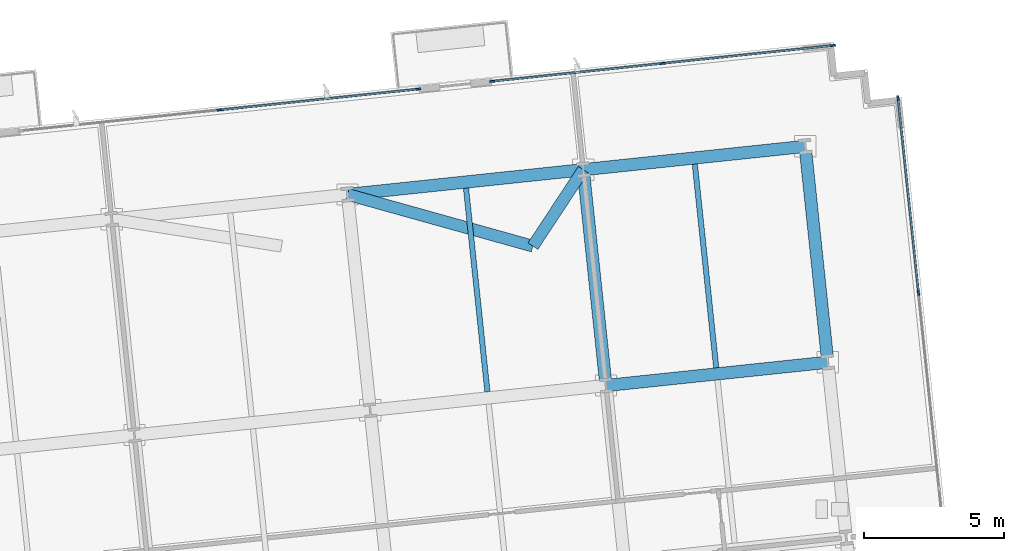
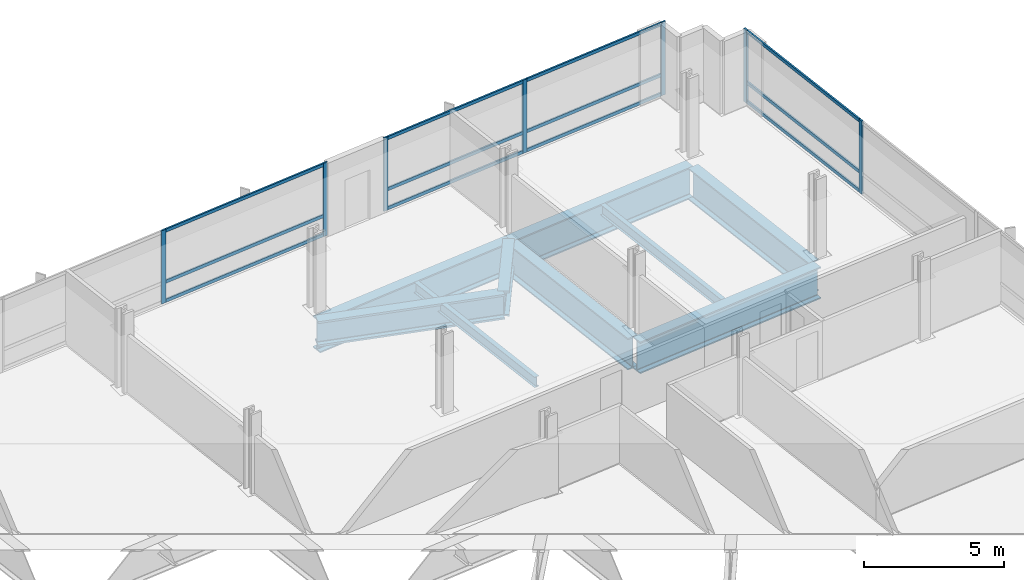
# One storey, part 8 of 18: 19 members, 9 beams, 3 elements without a shape of their own.
"""IFC4 building model written with IfcOpenShell, lengths in metres."""

from ifc_helpers import new_model, si_unit, direction, frame, origin, origin_2d, place, context, subcontext, project, spatial, rectangle, i_section, extrude, material, material_profile, profile_set, type_object, element, aggregate, save


model = new_model("IFC4")

# Units and contexts
model_context = context("Model", 3, precision=1e-05, world=origin(), true_north=direction((0.0, 1.0)))
body_context = subcontext(model_context, "Body", "Model", "MODEL_VIEW")
ifc_project = project(units=[si_unit("LENGTHUNIT", "METRE"), si_unit("AREAUNIT", "SQUARE_METRE"), si_unit("VOLUMEUNIT", "CUBIC_METRE"), si_unit("PLANEANGLEUNIT", "RADIAN"), si_unit("MASSUNIT", "GRAM", prefix="KILO")], contexts=[model_context])

# Site, building, storey
site_placement = place(None, origin())
site = spatial("IfcSite", under=ifc_project, at=site_placement, CompositionType="ELEMENT")
building_placement = place(site_placement, origin())
building = spatial("IfcBuilding", under=site, at=building_placement, Name="Solmavex Isthmus Hotel", CompositionType="ELEMENT")
storey_placement = place(building_placement, frame((0.0, 0.0, 80.10009765625)))
storey = spatial("IfcBuildingStorey", under=building, at=storey_placement, Name="L21", CompositionType="ELEMENT", Elevation=80.10009765625)

# Beams
ifc_material_1 = material(Name="Steel ASTM A992 Grade 50", Category="steel")
ifc_material_profile_1 = material_profile(ifc_material_1, i_section(OverallWidth=0.1904296875, OverallDepth=0.456787109375, WebThickness=0.009033203125, FlangeThickness=0.014404296875, FilletRadius=0.0126953125, at=origin_2d()), Name="W18X50")
ifc_profile_set_1 = profile_set([ifc_material_profile_1], Name="Steel ASTM A992 Grade 50")
beam_type_1 = type_object("IfcBeamType", Name="BM-BJ-W18X50", PredefinedType="JOIST", material=ifc_profile_set_1)
for number, where, z_axis, x_axis, name in (
    (1, (16.32861328125, 11.6982421875, -0.678466796875), (-0.10454052524, 0.99452062753, 0.0), (-0.99452062753, -0.10454052524, 0.0), "Secondary Floor Joist L21-J17"),
    (2, (24.50048828125, 12.55712890625, -0.678466796875), (-0.104507501103, 0.994524098357, 0.0), (-0.994524098357, -0.104507501103, 0.0), "Secondary Floor Joist L21-J19"),
):
    element("IfcBeam", number, at=place(storey_placement, frame(where, z_axis=z_axis, x_axis=x_axis)), inside=storey, type_object=beam_type_1, Name=name, PredefinedType="JOIST", context=body_context, shape_type="SweptSolid", body=[
        extrude(i_section(OverallWidth=0.1904296875, OverallDepth=0.456787109375, WebThickness=0.009033203125, FlangeThickness=0.014404296875, FilletRadius=0.0126953125, at=origin_2d()), origin(), (0.0, 0.0, 1.0), 7.31201171875),
    ])
ifc_material_2 = material(Name="Steel ASTM A913 Grade 65", Category="steel")
ifc_material_profile_2 = material_profile(ifc_material_2, i_section(OverallWidth=0.42431640625, OverallDepth=1.09228515625, WebThickness=0.04541015625, FlangeThickness=0.08203125, FilletRadius=0.030517578125, at=origin_2d()), Name="W40X593")
ifc_profile_set_2 = profile_set([ifc_material_profile_2], Name="Steel ASTM A913 Grade 65")
beam_type_2 = type_object("IfcBeamType", Name="BM-TB-W40X397", PredefinedType="BEAM", material=ifc_profile_set_2)
beam_1_placement = place(storey_placement, frame((17.951904296875, 16.89990234375, -0.99609375), z_axis=(-0.96322880342, 0.268682474797, 0.0), x_axis=(-0.268682474797, -0.96322880342, 0.0)))
element("IfcBeam", 3, at=beam_1_placement, inside=storey, type_object=beam_type_2, Name="Core Outrigger Strut L20-OTN3", PredefinedType="BEAM", context=body_context, shape_type="SweptSolid", body=[
    extrude(i_section(OverallWidth=0.42431640625, OverallDepth=1.09228515625, WebThickness=0.04541015625, FlangeThickness=0.08203125, FilletRadius=0.030517578125, at=origin_2d()), origin(), (0.0, 0.0, 1.0), 6.873046875),
])
beam_2_placement = place(storey_placement, frame((17.951904296875, 16.89990234375, -0.99609375), z_axis=(0.550109928805, 0.835092250132, 0.0), x_axis=(-0.835092250132, 0.550109928805, 0.0)))
element("IfcBeam", 4, at=beam_2_placement, inside=storey, type_object=beam_type_2, Name="Core Outrigger Strut L20-OTN4", PredefinedType="BEAM", context=body_context, shape_type="SweptSolid", body=[
    extrude(i_section(OverallWidth=0.42431640625, OverallDepth=1.09228515625, WebThickness=0.04541015625, FlangeThickness=0.08203125, FilletRadius=0.030517578125, at=origin_2d()), origin(), (0.0, 0.0, 1.0), 3.270751953125),
])
ifc_material_3 = material(Name="Steel ASTM A572 Grade 50", Category="steel")
ifc_material_profile_3 = material_profile(ifc_material_3, i_section(OverallWidth=0.43994140625, OverallDepth=1.3798828125, WebThickness=0.030029296875, FlangeThickness=0.054931640625, FilletRadius=0.030517578125, at=origin_2d()), Name="I1380X440")
ifc_profile_set_3 = profile_set([ifc_material_profile_3], Name="Steel ASTM A572 Grade 50")
beam_type_3 = type_object("IfcBeamType", Name="BM-TG-I1380", PredefinedType="BEAM", material=ifc_profile_set_3)
beam_3_placement = place(storey_placement, frame((20.5615234375, 11.921875, -1.14013671875), z_axis=(0.994523402738, 0.104514120609, 0.0), x_axis=(-0.104514120609, 0.994523402738, 0.0)))
element("IfcBeam", 5, at=beam_3_placement, inside=storey, type_object=beam_type_3, Name="Outrigger Collector Girder L21-UG16", PredefinedType="BEAM", context=body_context, shape_type="SweptSolid", body=[
    extrude(i_section(OverallWidth=0.43994140625, OverallDepth=1.3798828125, WebThickness=0.030029296875, FlangeThickness=0.054931640625, FilletRadius=0.030517578125, at=origin_2d()), origin(), (0.0, 0.0, 1.0), 7.968017578125),
])
beam_4_placement = place(storey_placement, frame((11.33154296875, 18.74658203125, -1.14013671875), z_axis=(0.994524082861, 0.104507648572, 0.0), x_axis=(-0.104507648572, 0.994524082861, 0.0)))
element("IfcBeam", 6, at=beam_4_placement, inside=storey, type_object=beam_type_3, Name="Outrigger Collector Girder L21-UG21", PredefinedType="BEAM", context=body_context, shape_type="SweptSolid", body=[
    extrude(i_section(OverallWidth=0.43994140625, OverallDepth=1.3798828125, WebThickness=0.030029296875, FlangeThickness=0.054931640625, FilletRadius=0.030517578125, at=origin_2d()), origin(), (0.0, 0.0, 1.0), 8.466064453125),
])
beam_5_placement = place(storey_placement, frame((19.751220703125, 19.63134765625, -1.14013671875), z_axis=(0.994520217478, 0.10454442609, 0.0), x_axis=(-0.10454442609, 0.994520217478, 0.0)))
element("IfcBeam", 7, at=beam_5_placement, inside=storey, type_object=beam_type_3, Name="Outrigger Collector Girder L21-UG22", PredefinedType="BEAM", context=body_context, shape_type="SweptSolid", body=[
    extrude(i_section(OverallWidth=0.43994140625, OverallDepth=1.3798828125, WebThickness=0.030029296875, FlangeThickness=0.054931640625, FilletRadius=0.030517578125, at=origin_2d()), origin(), (0.0, 0.0, 1.0), 7.968017578125),
])
for number, where, z_axis, x_axis, name in (
    (8, (20.538330078125, 12.140625, -1.14013671875), (-0.104507501103, 0.994524098357, 0.0), (-0.994524098357, -0.104507501103, 0.0), "Outrigger Collector Beam L21-VG43"),
    (9, (28.462890625, 12.9736328125, -1.14013671875), (-0.10454052524, 0.99452062753, 0.0), (-0.99452062753, -0.10454052524, 0.0), "Outrigger Collector Beam L21-VG46"),
):
    element("IfcBeam", number, at=place(storey_placement, frame(where, z_axis=z_axis, x_axis=x_axis)), inside=storey, type_object=beam_type_3, Name=name, PredefinedType="BEAM", context=body_context, shape_type="SweptSolid", body=[
        extrude(i_section(OverallWidth=0.43994140625, OverallDepth=1.3798828125, WebThickness=0.030029296875, FlangeThickness=0.054931640625, FilletRadius=0.030517578125, at=origin_2d()), origin(), (0.0, 0.0, 1.0), 7.31201171875),
    ])

# Curtain wall, members
ifc_material_4 = material(Name="Aluminium alloy 6063-T6", Category="aluminium")
curtain_wall_type = type_object("IfcCurtainWallType", Name="CW-SYS-03", PredefinedType="NOTDEFINED", material=ifc_material_4)
curtain_wall_1_placement = place(storey_placement, origin())
curtain_wall_1 = element("IfcCurtainWall", 10, at=curtain_wall_1_placement, inside=storey, type_object=curtain_wall_type, Name="Stick Curtain Wall CWL-L21-N2", PredefinedType="NOTDEFINED")
ifc_material_profile_4 = material_profile(ifc_material_4, rectangle(XDim=0.070068359375, YDim=0.179931640625, at=origin_2d()), Name="CWM-70X180")
ifc_profile_set_4 = profile_set([ifc_material_profile_4], Name="Aluminium alloy 6063-T6")
member_type_1 = type_object("IfcMemberType", Name="CW-SYS-03-MUL", PredefinedType="MULLION", material=ifc_profile_set_4)
member_1_placement = place(storey_placement, frame((6.7578125, 21.764892578125, 0.0), z_axis=(0.0, 0.0, 1.0), x_axis=(-0.10452900389, 0.994521838546, 0.0)))
member_1 = element("IfcMember", 11, at=member_1_placement, type_object=member_type_1, Name="CW-03 mullion 2", PredefinedType="MULLION", context=body_context, shape_type="SweptSolid", body=[
    extrude(rectangle(XDim=0.070068359375, YDim=0.179931640625, at=origin_2d()), origin(), (0.0, 0.0, 1.0), 3.18994140625),
])
member_2_placement = place(storey_placement, frame((13.849853515625, 22.51025390625, 0.0), z_axis=(0.0, 0.0, 1.0), x_axis=(-0.10452900389, 0.994521838546, 0.0)))
member_2 = element("IfcMember", 12, at=member_2_placement, type_object=member_type_1, Name="CW-03 mullion 3", PredefinedType="MULLION", context=body_context, shape_type="SweptSolid", body=[
    extrude(rectangle(XDim=0.070068359375, YDim=0.179931640625, at=origin_2d()), origin(), (0.0, 0.0, 1.0), 3.18994140625),
])

curtain_wall_2_placement = place(storey_placement, origin())
curtain_wall_2 = element("IfcCurtainWall", 13, at=curtain_wall_2_placement, inside=storey, type_object=curtain_wall_type, Name="Stick Curtain Wall CWL-L21-N3", PredefinedType="NOTDEFINED")
member_3_placement = place(storey_placement, frame((16.505126953125, 22.789306640625, 0.0), z_axis=(0.0, 0.0, 1.0), x_axis=(-0.104528123665, 0.994521931062, 0.0)))
member_3 = element("IfcMember", 14, at=member_3_placement, type_object=member_type_1, Name="CW-03 mullion 1", PredefinedType="MULLION", context=body_context, shape_type="SweptSolid", body=[
    extrude(rectangle(XDim=0.070068359375, YDim=0.179931640625, at=origin_2d()), origin(), (0.0, 0.0, 1.0), 3.18994140625),
])
member_4_placement = place(storey_placement, frame((22.587158203125, 23.4287109375, 0.0), z_axis=(0.0, 0.0, 1.0), x_axis=(-0.104528123665, 0.994521931062, 0.0)))
member_4 = element("IfcMember", 15, at=member_4_placement, type_object=member_type_1, Name="CW-03 mullion 2", PredefinedType="MULLION", context=body_context, shape_type="SweptSolid", body=[
    extrude(rectangle(XDim=0.070068359375, YDim=0.179931640625, at=origin_2d()), origin(), (0.0, 0.0, 1.0), 3.18994140625),
])
member_5_placement = place(storey_placement, frame((28.669189453125, 24.06787109375, 0.0), z_axis=(0.0, 0.0, 1.0), x_axis=(-0.104528123665, 0.994521931062, 0.0)))
member_5 = element("IfcMember", 16, at=member_5_placement, type_object=member_type_1, Name="CW-03 mullion 3", PredefinedType="MULLION", context=body_context, shape_type="SweptSolid", body=[
    extrude(rectangle(XDim=0.070068359375, YDim=0.179931640625, at=origin_2d()), origin(), (0.0, 0.0, 1.0), 3.18994140625),
])

curtain_wall_3_placement = place(storey_placement, origin())
curtain_wall_3 = element("IfcCurtainWall", 17, at=curtain_wall_3_placement, inside=storey, type_object=curtain_wall_type, Name="Stick Curtain Wall CWL-L21-E1", PredefinedType="NOTDEFINED")
member_6_placement = place(storey_placement, frame((31.723876953125, 15.23876953125, 0.0), z_axis=(0.0, 0.0, 1.0), x_axis=(-0.994521893044, -0.104528485381, 0.0)))
member_6 = element("IfcMember", 18, at=member_6_placement, type_object=member_type_1, Name="CW-03 mullion 5", PredefinedType="MULLION", context=body_context, shape_type="SweptSolid", body=[
    extrude(rectangle(XDim=0.070068359375, YDim=0.179931640625, at=origin_2d()), origin(), (0.0, 0.0, 1.0), 3.18994140625),
])
member_7_placement = place(storey_placement, frame((30.99365234375, 22.185546875, 0.0), z_axis=(0.0, 0.0, 1.0), x_axis=(-0.994521893044, -0.104528485381, 0.0)))
member_7 = element("IfcMember", 19, at=member_7_placement, type_object=member_type_1, Name="CW-03 mullion 6", PredefinedType="MULLION", context=body_context, shape_type="SweptSolid", body=[
    extrude(rectangle(XDim=0.070068359375, YDim=0.179931640625, at=origin_2d()), origin(), (0.0, 0.0, 1.0), 3.18994140625),
])

# Member
ifc_material_profile_5 = material_profile(ifc_material_4, rectangle(XDim=0.070068359375, YDim=0.139892578125, at=origin_2d()), Name="CWT-70X140")
ifc_profile_set_5 = profile_set([ifc_material_profile_5], Name="Aluminium alloy 6063-T6")
member_type_2 = type_object("IfcMemberType", Name="CW-SYS-03-TRN", PredefinedType="USERDEFINED", material=ifc_profile_set_5)
member_8_placement = place(storey_placement, frame((6.792724609375, 21.7685546875, 0.06982421875), z_axis=(0.994522301958, 0.104524594751, 0.0), x_axis=(-0.104524594751, 0.994522301958, 0.0)))
member_8 = element("IfcMember", 20, at=member_8_placement, type_object=member_type_2, Name="CW-03 transom 2.1", ObjectType="TRANSOM", PredefinedType="USERDEFINED", context=body_context, shape_type="SweptSolid", body=[
    extrude(rectangle(XDim=0.070068359375, YDim=0.139892578125, at=origin_2d()), origin(), (0.0, 0.0, 1.0), 7.060791015625),
])

member_9_placement = place(storey_placement, frame((6.792724609375, 21.7685546875, 0.89990234375), z_axis=(0.994522301958, 0.104524594751, 0.0), x_axis=(-0.104524594751, 0.994522301958, 0.0)))
member_9 = element("IfcMember", 21, at=member_9_placement, type_object=member_type_2, Name="CW-03 transom 2.2", ObjectType="TRANSOM", PredefinedType="USERDEFINED", context=body_context, shape_type="SweptSolid", body=[
    extrude(rectangle(XDim=0.070068359375, YDim=0.139892578125, at=origin_2d()), origin(), (0.0, 0.0, 1.0), 7.060791015625),
])

member_10_placement = place(storey_placement, frame((6.792724609375, 21.7685546875, 3.119873046875), z_axis=(0.994522301958, 0.104524594751, 0.0), x_axis=(-0.104524594751, 0.994522301958, 0.0)))
member_10 = element("IfcMember", 22, at=member_10_placement, type_object=member_type_2, Name="CW-03 transom 2.3", ObjectType="TRANSOM", PredefinedType="USERDEFINED", context=body_context, shape_type="SweptSolid", body=[
    extrude(rectangle(XDim=0.070068359375, YDim=0.139892578125, at=origin_2d()), origin(), (0.0, 0.0, 1.0), 7.060791015625),
])

aggregate(curtain_wall_1, [member_1, member_2, member_8, member_9, member_10])

member_11_placement = place(storey_placement, frame((16.5400390625, 22.79296875, 0.06982421875), z_axis=(0.994519384638, 0.104552348513, 0.0), x_axis=(-0.104552348513, 0.994519384638, 0.0)))
member_11 = element("IfcMember", 23, at=member_11_placement, type_object=member_type_2, Name="CW-03 transom 1.1", ObjectType="TRANSOM", PredefinedType="USERDEFINED", context=body_context, shape_type="SweptSolid", body=[
    extrude(rectangle(XDim=0.070068359375, YDim=0.139892578125, at=origin_2d()), origin(), (0.0, 0.0, 1.0), 6.045654296875),
])

member_12_placement = place(storey_placement, frame((16.5400390625, 22.79296875, 0.89990234375), z_axis=(0.994519384638, 0.104552348513, 0.0), x_axis=(-0.104552348513, 0.994519384638, 0.0)))
member_12 = element("IfcMember", 24, at=member_12_placement, type_object=member_type_2, Name="CW-03 transom 1.2", ObjectType="TRANSOM", PredefinedType="USERDEFINED", context=body_context, shape_type="SweptSolid", body=[
    extrude(rectangle(XDim=0.070068359375, YDim=0.139892578125, at=origin_2d()), origin(), (0.0, 0.0, 1.0), 6.045654296875),
])

member_13_placement = place(storey_placement, frame((16.5400390625, 22.79296875, 3.119873046875), z_axis=(0.994519384638, 0.104552348513, 0.0), x_axis=(-0.104552348513, 0.994519384638, 0.0)))
member_13 = element("IfcMember", 25, at=member_13_placement, type_object=member_type_2, Name="CW-03 transom 1.3", ObjectType="TRANSOM", PredefinedType="USERDEFINED", context=body_context, shape_type="SweptSolid", body=[
    extrude(rectangle(XDim=0.070068359375, YDim=0.139892578125, at=origin_2d()), origin(), (0.0, 0.0, 1.0), 6.045654296875),
])

member_14_placement = place(storey_placement, frame((22.6220703125, 23.432373046875, 0.06982421875), z_axis=(0.994523582882, 0.104512406403, 0.0), x_axis=(-0.104512406403, 0.994523582882, 0.0)))
member_14 = element("IfcMember", 26, at=member_14_placement, type_object=member_type_2, Name="CW-03 transom 2.1", ObjectType="TRANSOM", PredefinedType="USERDEFINED", context=body_context, shape_type="SweptSolid", body=[
    extrude(rectangle(XDim=0.070068359375, YDim=0.139892578125, at=origin_2d()), origin(), (0.0, 0.0, 1.0), 6.045654296875),
])

member_15_placement = place(storey_placement, frame((22.6220703125, 23.432373046875, 0.89990234375), z_axis=(0.994523582882, 0.104512406403, 0.0), x_axis=(-0.104512406403, 0.994523582882, 0.0)))
member_15 = element("IfcMember", 27, at=member_15_placement, type_object=member_type_2, Name="CW-03 transom 2.2", ObjectType="TRANSOM", PredefinedType="USERDEFINED", context=body_context, shape_type="SweptSolid", body=[
    extrude(rectangle(XDim=0.070068359375, YDim=0.139892578125, at=origin_2d()), origin(), (0.0, 0.0, 1.0), 6.045654296875),
])

member_16_placement = place(storey_placement, frame((22.6220703125, 23.432373046875, 3.119873046875), z_axis=(0.994523582882, 0.104512406403, 0.0), x_axis=(-0.104512406403, 0.994523582882, 0.0)))
member_16 = element("IfcMember", 28, at=member_16_placement, type_object=member_type_2, Name="CW-03 transom 2.3", ObjectType="TRANSOM", PredefinedType="USERDEFINED", context=body_context, shape_type="SweptSolid", body=[
    extrude(rectangle(XDim=0.070068359375, YDim=0.139892578125, at=origin_2d()), origin(), (0.0, 0.0, 1.0), 6.045654296875),
])

aggregate(curtain_wall_2, [member_3, member_4, member_5, member_11, member_12, member_13, member_14, member_15, member_16])

member_17_placement = place(storey_placement, frame((31.72021484375, 15.273681640625, 0.06982421875), z_axis=(-0.104539595565, 0.994520725254, 0.0), x_axis=(-0.994520725254, -0.104539595565, 0.0)))
member_17 = element("IfcMember", 29, at=member_17_placement, type_object=member_type_2, Name="CW-03 transom 5.1", ObjectType="TRANSOM", PredefinedType="USERDEFINED", context=body_context, shape_type="SweptSolid", body=[
    extrude(rectangle(XDim=0.070068359375, YDim=0.139892578125, at=origin_2d()), origin(), (0.0, 0.0, 1.0), 6.9150390625),
])

member_18_placement = place(storey_placement, frame((31.72021484375, 15.273681640625, 0.89990234375), z_axis=(-0.104539595565, 0.994520725254, 0.0), x_axis=(-0.994520725254, -0.104539595565, 0.0)))
member_18 = element("IfcMember", 30, at=member_18_placement, type_object=member_type_2, Name="CW-03 transom 5.2", ObjectType="TRANSOM", PredefinedType="USERDEFINED", context=body_context, shape_type="SweptSolid", body=[
    extrude(rectangle(XDim=0.070068359375, YDim=0.139892578125, at=origin_2d()), origin(), (0.0, 0.0, 1.0), 6.9150390625),
])

member_19_placement = place(storey_placement, frame((31.72021484375, 15.273681640625, 3.119873046875), z_axis=(-0.104539595565, 0.994520725254, 0.0), x_axis=(-0.994520725254, -0.104539595565, 0.0)))
member_19 = element("IfcMember", 31, at=member_19_placement, type_object=member_type_2, Name="CW-03 transom 5.3", ObjectType="TRANSOM", PredefinedType="USERDEFINED", context=body_context, shape_type="SweptSolid", body=[
    extrude(rectangle(XDim=0.070068359375, YDim=0.139892578125, at=origin_2d()), origin(), (0.0, 0.0, 1.0), 6.9150390625),
])

aggregate(curtain_wall_3, [member_6, member_7, member_17, member_18, member_19])

save(model, "model.ifc")
